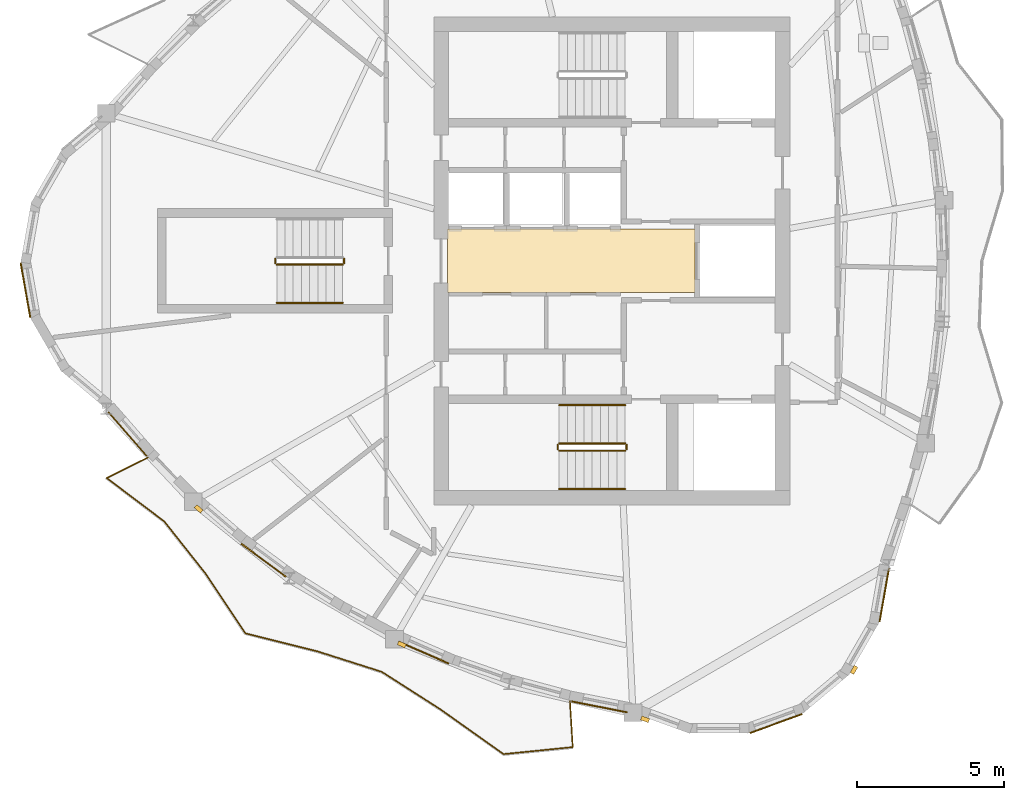
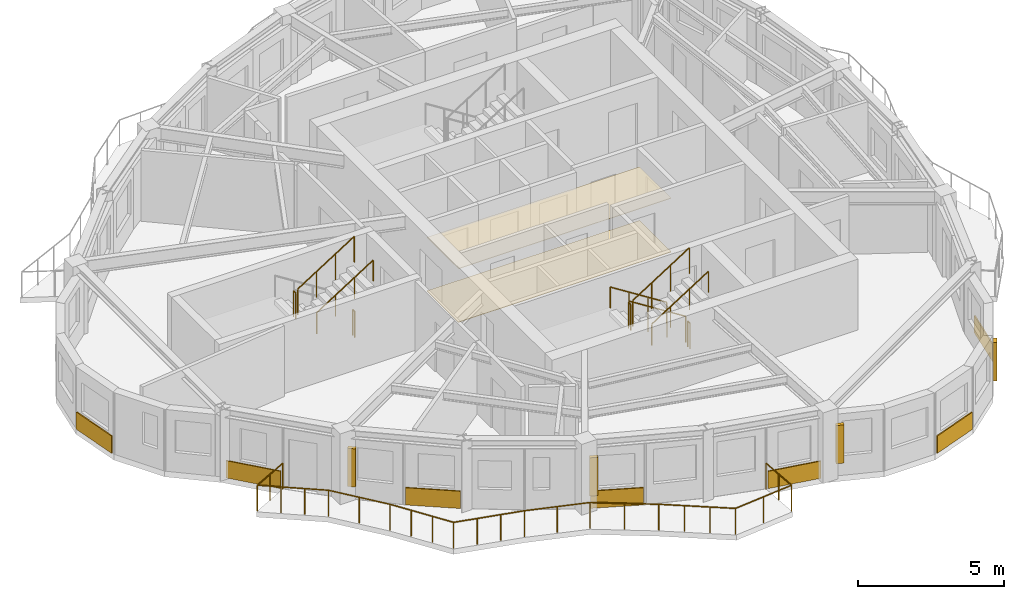
# One storey, part 8 of 11: 11 railings, 9 coverings, 4 shading devices.
"""IFC4 building model written with IfcOpenShell, lengths in metres."""

import ifcopenshell
import ifcopenshell.guid

model = None  # the IFC model being written
_history = None  # IfcOwnerHistory: only IFC2X3 demands one
_inside = {}  # id of a spatial element -> (the spatial element, [elements in it])
_under = {}  # id of a project, library or spatial element -> (it, [spatial elements below it])
_declared = {}  # id of a project -> (the project, [libraries it declares])
_typed = {}  # id of a type object -> (the type object, [elements of that type])
_made_of = {}  # id of a material, layer set ... -> (it, [elements and type objects made of it])


def new_model(schema):
    """Start an empty IFC model of exactly this schema.

    Asked for "IFC4X3", IfcOpenShell would pick the latest addendum, in which some entities
    have other attributes; the version numbers below select the first issue.
    IFC2X3 requires an IfcOwnerHistory on every rooted entity: one is made here for all.
    """
    global model, _history
    if schema == "IFC4X3":
        model = ifcopenshell.file(schema_version=(4, 3, 0, 0))
    else:
        model = ifcopenshell.file(schema=schema)
    _inside.clear()
    _under.clear()
    _declared.clear()
    _typed.clear()
    _made_of.clear()
    _history = None
    if model.schema == "IFC2X3":
        org = make("IfcOrganization", Name="unknown")
        user = make(
            "IfcPersonAndOrganization",
            ThePerson=make("IfcPerson", FamilyName="unknown"),
            TheOrganization=org,
        )
        app = make(
            "IfcApplication",
            ApplicationDeveloper=org,
            Version="unknown",
            ApplicationFullName="unknown",
            ApplicationIdentifier="unknown",
        )
        _history = make(
            "IfcOwnerHistory",
            OwningUser=user,
            OwningApplication=app,
            ChangeAction="ADDED",
            CreationDate=0,
        )
    return model


def make(cls, **values):
    """One entity of the class cls with the attributes given. An attribute that is None is left unset."""
    return model.create_entity(
        cls, **{name: value for name, value in values.items() if value is not None}
    )


def rooted(cls, **values):
    """An entity with a GlobalId (a new one), such as an element, a storey or a relation."""
    return make(cls, GlobalId=ifcopenshell.guid.new(), OwnerHistory=_history, **values)


def si_unit(unit_type, name, prefix=None):
    """IfcSIUnit, for example si_unit("LENGTHUNIT", "METRE", prefix="MILLI")."""
    return make("IfcSIUnit", UnitType=unit_type, Prefix=prefix, Name=name)


def assignment(units):
    """IfcUnitAssignment: the units of a project."""
    return None if units is None else make("IfcUnitAssignment", Units=units)


def point(xyz):
    """IfcCartesianPoint."""
    return None if xyz is None else make("IfcCartesianPoint", Coordinates=xyz)


def direction(xyz):
    """IfcDirection."""
    return None if xyz is None else make("IfcDirection", DirectionRatios=xyz)


def frame(location, z_axis=None, x_axis=None):
    """IfcAxis2Placement3D, a coordinate frame: its origin and axes. An axis left out is left unset."""
    return make(
        "IfcAxis2Placement3D",
        Location=point(location),
        Axis=direction(z_axis),
        RefDirection=direction(x_axis),
    )


def frame_2d(location, x_axis=None):
    """IfcAxis2Placement2D, a coordinate frame in the plane: its origin and x axis."""
    return make(
        "IfcAxis2Placement2D", Location=point(location), RefDirection=direction(x_axis)
    )


def origin():
    """The frame at (0, 0, 0) with its axes left unset."""
    return frame((0.0, 0.0, 0.0))


def origin_2d():
    """The frame at (0, 0) in the plane with its x axis left unset."""
    return frame_2d((0.0, 0.0))


def place(relative_to, where):
    """IfcLocalPlacement: puts the frame where relative to a parent placement (None: the world)."""
    return make(
        "IfcLocalPlacement", PlacementRelTo=relative_to, RelativePlacement=where
    )


def context(
    kind, dimensions, precision=None, world=None, true_north=None, identifier=None
):
    """IfcGeometricRepresentationContext, for example the 3D "Model" context."""
    return make(
        "IfcGeometricRepresentationContext",
        ContextIdentifier=identifier,
        ContextType=kind,
        CoordinateSpaceDimension=dimensions,
        Precision=precision,
        WorldCoordinateSystem=world,
        TrueNorth=true_north,
    )


def subcontext(parent, identifier, kind, view, scale=None):
    """IfcGeometricRepresentationSubContext, for example "Body" below "Model"."""
    return make(
        "IfcGeometricRepresentationSubContext",
        ContextIdentifier=identifier,
        ContextType=kind,
        ParentContext=parent,
        TargetScale=scale,
        TargetView=view,
    )


def project(units=None, contexts=None):
    """IfcProject with its units and contexts."""
    return rooted(
        "IfcProject",
        Name="project",
        RepresentationContexts=contexts,
        UnitsInContext=assignment(units),
    )


def spatial(cls, under=None, at=None, **own):
    """A site, building, storey or space (cls), placed at a placement, below another one or the project."""
    s = rooted(cls, ObjectPlacement=at, **own)
    if under is not None:
        _under.setdefault(under.id(), (under, []))[1].append(s)
    return s


def polyline(points):
    """IfcPolyline through the points."""
    return make("IfcPolyline", Points=[point(p) for p in points])


def profile(cls, at=None, kind="AREA", **sizes):
    """A parametric profile (cls). Its sizes go by their IFC names, for example OverallWidth=200.0."""
    return make(cls, ProfileType=kind, Position=at, **sizes)


def rectangle(**sizes):
    """IfcRectangleProfileDef."""
    return profile("IfcRectangleProfileDef", **sizes)


def circle(**sizes):
    """IfcCircleProfileDef."""
    return profile("IfcCircleProfileDef", **sizes)


def outline(outer, holes=None, kind="AREA"):
    """IfcArbitraryClosedProfileDef: a profile drawn as a closed curve; with holes, ...WithVoids."""
    if holes is None:
        return make("IfcArbitraryClosedProfileDef", ProfileType=kind, OuterCurve=outer)
    return make(
        "IfcArbitraryProfileDefWithVoids",
        ProfileType=kind,
        OuterCurve=outer,
        InnerCurves=holes,
    )


def extrude(swept, where, along, depth):
    """IfcExtrudedAreaSolid: the profile swept, set in the frame where, extruded along a direction by depth."""
    return make(
        "IfcExtrudedAreaSolid",
        SweptArea=swept,
        Position=where,
        ExtrudedDirection=direction(along),
        Depth=depth,
    )


def shape(context_of_items, identifier, shape_type, items):
    """IfcShapeRepresentation: the items that make up one representation, for example the "Body"."""
    return make(
        "IfcShapeRepresentation",
        ContextOfItems=context_of_items,
        RepresentationIdentifier=identifier,
        RepresentationType=shape_type,
        Items=items,
    )


def source(mapping_origin, context_of_items, identifier, shape_type, items):
    """IfcRepresentationMap: a shape defined once, which mapped items show again and again."""
    return make(
        "IfcRepresentationMap",
        MappingOrigin=mapping_origin,
        MappedRepresentation=shape(context_of_items, identifier, shape_type, items),
    )


def transform(
    local_origin,
    x_axis=None,
    y_axis=None,
    z_axis=None,
    scale=None,
    scale2=None,
    scale3=None,
    uniform=True,
):
    """IfcCartesianTransformationOperator3D, or its non-uniform kind. x_axis, y_axis, z_axis: its Axis1, 2, 3."""
    if uniform:
        return make(
            "IfcCartesianTransformationOperator3D",
            Axis1=direction(x_axis),
            Axis2=direction(y_axis),
            LocalOrigin=point(local_origin),
            Scale=scale,
            Axis3=direction(z_axis),
        )
    return make(
        "IfcCartesianTransformationOperator3DnonUniform",
        Axis1=direction(x_axis),
        Axis2=direction(y_axis),
        LocalOrigin=point(local_origin),
        Scale=scale,
        Axis3=direction(z_axis),
        Scale2=scale2,
        Scale3=scale3,
    )


def mapped(mapping_source, mapping_target):
    """IfcMappedItem: shows the shape of a source again, moved by a transform."""
    return make(
        "IfcMappedItem", MappingSource=mapping_source, MappingTarget=mapping_target
    )


def material(Name=None, Category=None):
    """IfcMaterial."""
    return make("IfcMaterial", Name=Name, Category=Category)


def layer(
    of_material, thickness, ventilated=None, Name=None, Category=None, Priority=None
):
    """IfcMaterialLayer: one layer of a wall or slab, of a material (None: an air gap)."""
    return make(
        "IfcMaterialLayer",
        Material=of_material,
        LayerThickness=thickness,
        IsVentilated=ventilated,
        Name=Name,
        Category=Category,
        Priority=Priority,
    )


def layer_set(layers, Name=None):
    """IfcMaterialLayerSet."""
    return make("IfcMaterialLayerSet", MaterialLayers=layers, LayerSetName=Name)


def made_of(thing, what):
    """Note that an element or type object is made of a material, layer set ...; save() writes the relation."""
    if what is not None:
        _made_of.setdefault(what.id(), (what, []))[1].append(thing)
    return thing


def type_object(cls, material=None, **own):
    """A type object (cls), such as IfcWallType, which elements share."""
    return made_of(rooted(cls, **own), material)


def element(
    cls,
    number,
    at=None,
    inside=None,
    cuts=None,
    type_object=None,
    material=None,
    context=None,
    identifier="Body",
    shape_type=None,
    held_by="IfcProductDefinitionShape",
    body=None,
    shapes=None,
    **own,
):
    """One element of the class cls, such as IfcWall. Its Tag is "e" and its number.

    at: its placement. inside: the storey or other place that contains it. cuts: it is an
    opening in that element (IfcRelVoidsElement). A single representation is given by context,
    identifier, shape_type and body (its items); several are given by shapes. held_by: the class
    of the entity that holds the representations. save() writes the other relations.
    """
    e = rooted(cls, Tag="e%d" % number, ObjectPlacement=at, **own)
    if body is not None:
        shapes = [shape(context, identifier, shape_type, body)]
    if shapes is not None:
        e.Representation = make(held_by, Representations=shapes)
    if inside is not None:
        _inside.setdefault(inside.id(), (inside, []))[1].append(e)
    if cuts is not None:
        rooted(
            "IfcRelVoidsElement", RelatingBuildingElement=cuts, RelatedOpeningElement=e
        )
    if type_object is not None:
        _typed.setdefault(type_object.id(), (type_object, []))[1].append(e)
    return made_of(e, material)


def aggregate(whole, parts):
    """IfcRelAggregates: a whole, such as a stair, and the parts it consists of."""
    return rooted("IfcRelAggregates", RelatingObject=whole, RelatedObjects=parts)


def save(model, path):
    """Write the relations noted so far, then the file.

    IfcRelAggregates (storeys below a building ...), IfcRelContainedInSpatialStructure (elements
    in a storey), IfcRelDefinesByType, IfcRelAssociatesMaterial and IfcRelDeclares: one each for
    every whole, place, type object, material and project.
    """
    for whole, parts in _under.values():
        aggregate(whole, parts)
    for where, things in _inside.values():
        rooted(
            "IfcRelContainedInSpatialStructure",
            RelatedElements=things,
            RelatingStructure=where,
        )
    for kind, things in _typed.values():
        rooted("IfcRelDefinesByType", RelatedObjects=things, RelatingType=kind)
    for what, things in _made_of.values():
        rooted("IfcRelAssociatesMaterial", RelatedObjects=things, RelatingMaterial=what)
    for by, libraries in _declared.values():
        rooted("IfcRelDeclares", RelatingContext=by, RelatedDefinitions=libraries)
    model.write(path)


model = new_model("IFC4")

# Units and contexts
model_context = context("Model", 3, precision=1e-05, world=origin(), true_north=direction((0.0, 1.0)))
body_context = subcontext(model_context, "Body", "Model", "MODEL_VIEW")
ifc_project = project(units=[si_unit("LENGTHUNIT", "METRE"), si_unit("AREAUNIT", "SQUARE_METRE"), si_unit("VOLUMEUNIT", "CUBIC_METRE"), si_unit("PLANEANGLEUNIT", "RADIAN"), si_unit("MASSUNIT", "GRAM", prefix="KILO")], contexts=[model_context])

# Site, building, storey
site_placement = place(None, origin())
site = spatial("IfcSite", under=ifc_project, at=site_placement, CompositionType="ELEMENT")
building_placement = place(site_placement, origin())
building = spatial("IfcBuilding", under=site, at=building_placement, Name="Qafzar Sky-Pleat Residences", CompositionType="ELEMENT")
storey_placement = place(building_placement, frame((0.0, 0.0, 246.800048828125)))
storey = spatial("IfcBuildingStorey", under=building, at=storey_placement, Name="L74", CompositionType="ELEMENT", Elevation=246.800048828125)

# Coverings
ifc_material_1 = material(Name="Perforated acoustic gypsum board ceiling")
ifc_layer_1 = layer(ifc_material_1, 0.02001953125)
ifc_layer_set_1 = layer_set([ifc_layer_1], Name="Perforated acoustic gypsum board ceiling")
covering_type_1 = type_object("IfcCoveringType", Name="COV-CEIL-ACOUSTIC", PredefinedType="CEILING", material=ifc_layer_set_1)
covering_1_placement = place(storey_placement, frame((0.0, 0.0, 2.239990234375)))
element("IfcCovering", 1, at=covering_1_placement, inside=storey, type_object=covering_type_1, Name="L74 Passenger Lift Lobby Acoustic Ceiling", PredefinedType="CEILING", context=body_context, shape_type="SweptSolid", body=[
    extrude(outline(polyline([(33.179931640625, 24.919921875), (24.77001953125, 24.919921875), (24.77001953125, 27.080078125), (33.179931640625, 27.080078125), (33.179931640625, 24.919921875)])), origin(), (0.0, 0.0, 1.0), 0.02001953125),
])
ifc_material_2 = material(Name="Honed porcelain and Riyadh stone tile flooring", Category="masonry")
ifc_layer_2 = layer(ifc_material_2, 0.02001953125)
ifc_layer_set_2 = layer_set([ifc_layer_2], Name="Honed porcelain and Riyadh stone tile flooring")
covering_type_2 = type_object("IfcCoveringType", Name="COV-FLR-PORCELAIN", PredefinedType="FLOORING", material=ifc_layer_set_2)
covering_2_placement = place(storey_placement, origin())
element("IfcCovering", 2, at=covering_2_placement, inside=storey, type_object=covering_type_2, Name="L74 Passenger Lift Lobby Honed Stone Flooring", PredefinedType="FLOORING", context=body_context, shape_type="SweptSolid", body=[
    extrude(outline(polyline([(33.179931640625, 24.919921875), (24.77001953125, 24.919921875), (24.77001953125, 27.080078125), (33.179931640625, 27.080078125), (33.179931640625, 24.919921875)])), origin(), (0.0, 0.0, 1.0), 0.02001953125),
])

# Shading devices
ifc_material_3 = material(Name="Honed Riyadh limestone solar fin", Category="masonry")
ifc_layer_3 = layer(ifc_material_3, 0.139892578125)
ifc_layer_set_3 = layer_set([ifc_layer_3], Name="Honed Riyadh limestone solar fin")
shading_device_type = type_object("IfcShadingDeviceType", Name="SHD-FIN-STONE", PredefinedType="SHUTTER", material=ifc_layer_set_3)
shared_shape_1 = source(origin(), body_context, "Body", "SweptSolid", [
    extrude(rectangle(XDim=0.139892578125, YDim=0.280029296875, at=origin_2d()), origin(), (0.0, 0.0, 1.0), 1.60009765625),
])
for number, where, z_axis, x_axis, name in (
    (3, (16.306396484375, 17.572265625, 0.599853515625), (0.0, 0.0, 1.0), (-0.65289449512, -0.7574488618, 0.0), "L74 Limestone Solar Fin 9"),
    (4, (23.2080078125, 12.9658203125, 0.599853515625), (0.0, 0.0, 1.0), (-0.398699748058, -0.917081518132, 0.0), "L74 Limestone Solar Fin 13"),
    (5, (31.478515625, 10.422119140625, 0.599853515625), (0.0, 0.0, 1.0), (-0.342010122116, -0.939696268148, 0.0), "L74 Limestone Solar Fin 17"),
    (6, (38.58056640625, 12.10009765625, 0.599853515625), (0.0, 0.0, 1.0), (0.86604422228, -0.499967403994, 0.0), "L74 Limestone Solar Fin 21"),
):
    element("IfcShadingDevice", number, at=place(storey_placement, frame(where, z_axis=z_axis, x_axis=x_axis)), inside=storey, type_object=shading_device_type, Name=name, PredefinedType="SHUTTER", context=body_context, shape_type="MappedRepresentation", body=[
        mapped(shared_shape_1, transform((0.0, 0.0, 0.0), x_axis=(1.0, 0.0, 0.0), y_axis=(0.0, 1.0, 0.0), z_axis=(0.0, 0.0, 1.0), scale=1.0)),
    ])

# Coverings
ifc_material_4 = material(Name="Honed Riyadh Tuwaiq limestone cladding", Category="masonry")
ifc_layer_4 = layer(ifc_material_4, 0.044921875)
ifc_layer_set_4 = layer_set([ifc_layer_4], Name="Honed Riyadh Tuwaiq limestone cladding")
covering_type_3 = type_object("IfcCoveringType", Name="COV-CLAD-STONE", PredefinedType="CLADDING", material=ifc_layer_set_4)
shared_shape_2 = source(origin(), body_context, "Body", "SweptSolid", [
    extrude(rectangle(XDim=1.88134765625, YDim=0.044921875, at=origin_2d()), origin(), (0.0, 0.0, 1.0), 0.719970703125),
])
covering_3_placement = place(storey_placement, frame((10.418212890625, 25.00439453125, 0.02001953125), z_axis=(0.0, 0.0, 1.0), x_axis=(0.173662519465, -0.984805224059, 0.0)))
element("IfcCovering", 7, at=covering_3_placement, inside=storey, type_object=covering_type_3, Name="L74 Riyadh Limestone Spandrel Cladding 4", PredefinedType="CLADDING", context=body_context, shape_type="MappedRepresentation", body=[
    mapped(shared_shape_2, transform((0.0, 0.0, 0.0), x_axis=(1.0, 0.0, 0.0), y_axis=(0.0, 1.0, 0.0), z_axis=(0.0, 0.0, 1.0), scale=1.0)),
])
shared_shape_3 = source(origin(), body_context, "Body", "SweptSolid", [
    extrude(rectangle(XDim=1.8291015625, YDim=0.044921875, at=origin_2d()), origin(), (0.0, 0.0, 1.0), 0.719970703125),
])
covering_4_placement = place(storey_placement, frame((39.609130859375, 14.639892578125, 0.02001953125), z_axis=(0.0, 0.0, 1.0), x_axis=(0.173695508338, 0.984799406165, 0.0)))
element("IfcCovering", 8, at=covering_4_placement, inside=storey, type_object=covering_type_3, Name="L74 Riyadh Limestone Spandrel Cladding 22", PredefinedType="CLADDING", context=body_context, shape_type="MappedRepresentation", body=[
    mapped(shared_shape_3, transform((0.0, 0.0, 0.0), x_axis=(1.0, 0.0, 0.0), y_axis=(0.0, 1.0, 0.0), z_axis=(0.0, 0.0, 1.0), scale=1.0)),
])
shared_shape_4 = source(origin(), body_context, "Body", "SweptSolid", [
    extrude(rectangle(XDim=1.881103515625, YDim=0.044921875, at=origin_2d()), origin(), (0.0, 0.0, 1.0), 0.719970703125),
])
covering_5_placement = place(storey_placement, frame((35.9287109375, 10.27587890625, 0.02001953125), z_axis=(0.0, 0.0, 1.0), x_axis=(0.939709584691, 0.341973531784, 0.0)))
element("IfcCovering", 9, at=covering_5_placement, inside=storey, type_object=covering_type_3, Name="L74 Riyadh Limestone Spandrel Cladding 19", PredefinedType="CLADDING", context=body_context, shape_type="MappedRepresentation", body=[
    mapped(shared_shape_4, transform((0.0, 0.0, 0.0), x_axis=(1.0, 0.0, 0.0), y_axis=(0.0, 1.0, 0.0), z_axis=(0.0, 0.0, 1.0), scale=1.0)),
])
shared_shape_5 = source(origin(), body_context, "Body", "SweptSolid", [
    extrude(rectangle(XDim=1.888916015625, YDim=0.044921875, at=origin_2d()), origin(), (0.0, 0.0, 1.0), 0.719970703125),
])
covering_6_placement = place(storey_placement, frame((18.5107421875, 15.828369140625, 0.02001953125), z_axis=(0.0, 0.0, 1.0), x_axis=(0.803837342424, -0.59484916317, 0.0)))
element("IfcCovering", 10, at=covering_6_placement, inside=storey, type_object=covering_type_3, Name="L74 Riyadh Limestone Spandrel Cladding 10", PredefinedType="CLADDING", context=body_context, shape_type="MappedRepresentation", body=[
    mapped(shared_shape_5, transform((0.0, 0.0, 0.0), x_axis=(1.0, 0.0, 0.0), y_axis=(0.0, 1.0, 0.0), z_axis=(0.0, 0.0, 1.0), scale=1.0)),
])

# Railing
ifc_material_5 = material(Name="Laminated glass and bronze steel balustrade", Category="steel")
railing_type_1 = type_object("IfcRailingType", Name="RAIL-BAL-1100", PredefinedType="BALUSTRADE", material=ifc_material_5)
shared_shape_6 = source(origin(), body_context, "Body", "SweptSolid", [
    extrude(circle(Radius=0.02392578125, at=origin_2d()), frame((0.0, 0.0, 1.076171875), z_axis=(-0.895230305867, -0.445603747131, 0.0), x_axis=(0.445603747131, -0.895230305867, 0.0)), (0.0, 0.0, 1.0), 1.577880859375),
    extrude(circle(Radius=0.02392578125, at=origin_2d()), frame((-1.41259765625, -0.703125, 1.076171875), z_axis=(0.798552100692, -0.601925695148, 0.0), x_axis=(0.601925695148, 0.798552100692, 0.0)), (0.0, 0.0, 1.0), 2.4521484375),
    extrude(circle(Radius=0.02392578125, at=origin_2d()), frame((0.545654296875, -2.17919921875, 1.076171875), z_axis=(0.620424786039, -0.784265952894, 0.0), x_axis=(0.784265952894, 0.620424786039, 0.0)), (0.0, 0.0, 1.0), 2.27099609375),
    extrude(circle(Radius=0.02392578125, at=origin_2d()), frame((1.95458984375, -3.960205078125, 1.076171875), z_axis=(0.553981385976, -0.832529052942, 0.0), x_axis=(0.832529052942, 0.553981385976, 0.0)), (0.0, 0.0, 1.0), 2.430419921875),
    extrude(circle(Radius=0.02392578125, at=origin_2d()), frame((3.301025390625, -5.983642578125, 1.076171875), z_axis=(0.970233529175, -0.242171218076, 0.0), x_axis=(0.242171218076, 0.970233529175, 0.0)), (0.0, 0.0, 1.0), 2.5224609375),
    extrude(circle(Radius=0.02392578125, at=origin_2d()), frame((5.748291015625, -6.594482421875, 1.076171875), z_axis=(0.952948096229, -0.303133511663, 0.0), x_axis=(0.303133511663, 0.952948096229, 0.0)), (0.0, 0.0, 1.0), 2.298583984375),
    extrude(circle(Radius=0.02392578125, at=origin_2d()), frame((7.938720703125, -7.291259765625, 1.076171875), z_axis=(0.842406664623, -0.538842288057, 0.0), x_axis=(0.538842288057, 0.842406664623, 0.0)), (0.0, 0.0, 1.0), 2.359619140625),
    extrude(circle(Radius=0.02392578125, at=origin_2d()), frame((9.926513671875, -8.562744140625, 1.076171875), z_axis=(0.815729715151, -0.578433256149, 0.0), x_axis=(0.578433256149, 0.815729715151, 0.0)), (0.0, 0.0, 1.0), 2.637939453125),
    extrude(circle(Radius=0.02392578125, at=origin_2d()), frame((12.078369140625, -10.088623046875, 1.076171875), z_axis=(0.994919967793, 0.10066905029, 0.0), x_axis=(-0.10066905029, 0.994919967793, 0.0)), (0.0, 0.0, 1.0), 2.364501953125),
    extrude(circle(Radius=0.02392578125, at=origin_2d()), frame((14.430908203125, -9.8505859375, 1.076171875), z_axis=(-0.061732907976, 0.99809270515, 0.0), x_axis=(-0.99809270515, -0.061732907976, 0.0)), (0.0, 0.0, 1.0), 1.577880859375),
    extrude(circle(Radius=0.02099609375, at=origin_2d()), origin(), (0.0, 0.0, 1.0), 1.052001953125),
    extrude(circle(Radius=0.02099609375, at=origin_2d()), frame((-0.706298828125, -0.3515625, 0.0)), (0.0, 0.0, 1.0), 1.052001953125),
    extrude(circle(Radius=0.02099609375, at=origin_2d()), frame((-1.41259765625, -0.703125, 0.0)), (0.0, 0.0, 1.0), 1.052001953125),
    extrude(circle(Radius=0.02099609375, at=origin_2d()), frame((-0.759765625, -1.195068359375, 0.0)), (0.0, 0.0, 1.0), 1.052001953125),
    extrude(circle(Radius=0.02099609375, at=origin_2d()), frame((-0.107177734375, -1.687255859375, 0.0)), (0.0, 0.0, 1.0), 1.052001953125),
    extrude(circle(Radius=0.02099609375, at=origin_2d()), frame((0.545654296875, -2.17919921875, 0.0)), (0.0, 0.0, 1.0), 1.052001953125),
    extrude(circle(Radius=0.02099609375, at=origin_2d()), frame((1.25, -3.06982421875, 0.0)), (0.0, 0.0, 1.0), 1.052001953125),
    extrude(circle(Radius=0.02099609375, at=origin_2d()), frame((1.95458984375, -3.960205078125, 0.0)), (0.0, 0.0, 1.0), 1.052001953125),
    extrude(circle(Radius=0.02099609375, at=origin_2d()), frame((2.4033203125, -4.634765625, 0.0)), (0.0, 0.0, 1.0), 1.052001953125),
    extrude(circle(Radius=0.02099609375, at=origin_2d()), frame((2.852294921875, -5.30908203125, 0.0)), (0.0, 0.0, 1.0), 1.052001953125),
    extrude(circle(Radius=0.02099609375, at=origin_2d()), frame((3.301025390625, -5.983642578125, 0.0)), (0.0, 0.0, 1.0), 1.052001953125),
    extrude(circle(Radius=0.02099609375, at=origin_2d()), frame((4.11669921875, -6.187255859375, 0.0)), (0.0, 0.0, 1.0), 1.052001953125),
    extrude(circle(Radius=0.02099609375, at=origin_2d()), frame((4.9326171875, -6.390869140625, 0.0)), (0.0, 0.0, 1.0), 1.052001953125),
    extrude(circle(Radius=0.02099609375, at=origin_2d()), frame((5.748291015625, -6.594482421875, 0.0)), (0.0, 0.0, 1.0), 1.052001953125),
    extrude(circle(Radius=0.02099609375, at=origin_2d()), frame((6.843505859375, -6.94287109375, 0.0)), (0.0, 0.0, 1.0), 1.052001953125),
    extrude(circle(Radius=0.02099609375, at=origin_2d()), frame((7.938720703125, -7.291259765625, 0.0)), (0.0, 0.0, 1.0), 1.052001953125),
    extrude(circle(Radius=0.02099609375, at=origin_2d()), frame((8.9326171875, -7.927001953125, 0.0)), (0.0, 0.0, 1.0), 1.052001953125),
    extrude(circle(Radius=0.02099609375, at=origin_2d()), frame((9.926513671875, -8.562744140625, 0.0)), (0.0, 0.0, 1.0), 1.052001953125),
    extrude(circle(Radius=0.02099609375, at=origin_2d()), frame((10.643798828125, -9.0712890625, 0.0)), (0.0, 0.0, 1.0), 1.052001953125),
    extrude(circle(Radius=0.02099609375, at=origin_2d()), frame((11.361083984375, -9.580078125, 0.0)), (0.0, 0.0, 1.0), 1.052001953125),
    extrude(circle(Radius=0.02099609375, at=origin_2d()), frame((12.078369140625, -10.088623046875, 0.0)), (0.0, 0.0, 1.0), 1.052001953125),
    extrude(circle(Radius=0.02099609375, at=origin_2d()), frame((13.254638671875, -9.9697265625, 0.0)), (0.0, 0.0, 1.0), 1.052001953125),
    extrude(circle(Radius=0.02099609375, at=origin_2d()), frame((14.430908203125, -9.8505859375, 0.0)), (0.0, 0.0, 1.0), 1.052001953125),
    extrude(circle(Radius=0.02099609375, at=origin_2d()), frame((14.38232421875, -9.06298828125, 0.0)), (0.0, 0.0, 1.0), 1.052001953125),
    extrude(circle(Radius=0.02099609375, at=origin_2d()), frame((14.33349609375, -8.275634765625, 0.0)), (0.0, 0.0, 1.0), 1.052001953125),
])
railing_1_placement = place(storey_placement, frame((14.591064453125, 19.325927734375, 0.0)))
element("IfcRailing", 11, at=railing_1_placement, inside=storey, type_object=railing_type_1, Name="L74 Pleated Balcony 3 Balustrade", PredefinedType="BALUSTRADE", context=body_context, shape_type="MappedRepresentation", body=[
    mapped(shared_shape_6, transform((0.0, 0.0, 0.0), x_axis=(1.0, 0.0, 0.0), y_axis=(0.0, 1.0, 0.0), z_axis=(0.0, 0.0, 1.0), scale=1.0)),
])

# Coverings
shared_shape_7 = source(origin(), body_context, "Body", "SweptSolid", [
    extrude(rectangle(XDim=1.982421875, YDim=0.044921875, at=origin_2d()), origin(), (0.0, 0.0, 1.0), 0.719970703125),
])
covering_7_placement = place(storey_placement, frame((13.885986328125, 20.117919921875, 0.02001953125), z_axis=(0.0, 0.0, 1.0), x_axis=(0.657613893378, -0.75335514018, 0.0)))
element("IfcCovering", 12, at=covering_7_placement, inside=storey, type_object=covering_type_3, Name="L74 Riyadh Limestone Spandrel Cladding 7", PredefinedType="CLADDING", context=body_context, shape_type="MappedRepresentation", body=[
    mapped(shared_shape_7, transform((0.0, 0.0, 0.0), x_axis=(1.0, 0.0, 0.0), y_axis=(0.0, 1.0, 0.0), z_axis=(0.0, 0.0, 1.0), scale=1.0)),
])
shared_shape_8 = source(origin(), body_context, "Body", "SweptSolid", [
    extrude(rectangle(XDim=1.82568359375, YDim=0.044921875, at=origin_2d()), origin(), (0.0, 0.0, 1.0), 0.719970703125),
])
covering_8_placement = place(storey_placement, frame((23.9677734375, 12.682373046875, 0.02001953125), z_axis=(0.0, 0.0, 1.0), x_axis=(0.917074758623, -0.39871529579, 0.0)))
element("IfcCovering", 13, at=covering_8_placement, inside=storey, type_object=covering_type_3, Name="L74 Riyadh Limestone Spandrel Cladding 13", PredefinedType="CLADDING", context=body_context, shape_type="MappedRepresentation", body=[
    mapped(shared_shape_8, transform((0.0, 0.0, 0.0), x_axis=(1.0, 0.0, 0.0), y_axis=(0.0, 1.0, 0.0), z_axis=(0.0, 0.0, 1.0), scale=1.0)),
])
shared_shape_9 = source(origin(), body_context, "Body", "SweptSolid", [
    extrude(rectangle(XDim=1.91943359375, YDim=0.044921875, at=origin_2d()), origin(), (0.0, 0.0, 1.0), 0.719970703125),
])
covering_9_placement = place(storey_placement, frame((29.9287109375, 10.842529296875, 0.02001953125), z_axis=(0.0, 0.0, 1.0), x_axis=(0.98122807004, -0.192850912795, 0.0)))
element("IfcCovering", 14, at=covering_9_placement, inside=storey, type_object=covering_type_3, Name="L74 Riyadh Limestone Spandrel Cladding 16", PredefinedType="CLADDING", context=body_context, shape_type="MappedRepresentation", body=[
    mapped(shared_shape_9, transform((0.0, 0.0, 0.0), x_axis=(1.0, 0.0, 0.0), y_axis=(0.0, 1.0, 0.0), z_axis=(0.0, 0.0, 1.0), scale=1.0)),
])

# Railings
ifc_material_6 = material(Name="Painted Steel S355 stair guardrail", Category="steel")
railing_type_2 = type_object("IfcRailingType", Name="RAIL-STAIR-GUARD", PredefinedType="GUARDRAIL", material=ifc_material_6)
shared_shape_10 = source(origin(), body_context, "Body", "SweptSolid", [
    extrude(circle(Radius=0.02392578125, at=origin_2d()), frame((0.0, 0.0, 1.076171875), z_axis=(0.0, -1.0, 0.0), x_axis=(1.0, 0.0, 0.0)), (0.0, 0.0, 1.0), 0.14990234375),
    extrude(circle(Radius=0.02099609375, at=origin_2d()), origin(), (0.0, 0.0, 1.0), 1.052001953125),
    extrude(circle(Radius=0.02099609375, at=origin_2d()), frame((0.0, -0.14990234375, 0.0)), (0.0, 0.0, 1.0), 1.052001953125),
])
for number, where, name in (
    (15, (28.510009765625, 19.75, 1.599853515625), "L74 ST1 stair guard 2"),
    (16, (30.85009765625, 19.75, 0.0), "L74 ST1 stair guard 4"),
    (17, (18.909912109375, 26.074951171875, 1.599853515625), "L74 ST3 stair guard 2"),
    (18, (21.25, 26.074951171875, 0.0), "L74 ST3 stair guard 4"),
):
    element("IfcRailing", number, at=place(storey_placement, frame(where)), inside=storey, type_object=railing_type_2, Name=name, PredefinedType="GUARDRAIL", context=body_context, shape_type="MappedRepresentation", body=[
        mapped(shared_shape_10, transform((0.0, 0.0, 0.0), x_axis=(1.0, 0.0, 0.0), y_axis=(0.0, 1.0, 0.0), z_axis=(0.0, 0.0, 1.0), scale=1.0)),
    ])
shared_shape_11 = source(origin(), body_context, "Body", "SweptSolid", [
    extrude(circle(Radius=0.02392578125, at=origin_2d()), frame((0.0, 0.0, 1.076171875), z_axis=(-0.8442293374, 0.0, 0.53598211339), x_axis=(0.0, -1.0, 0.0)), (0.0, 0.0, 1.0), 2.6533203125),
    extrude(circle(Radius=0.02099609375, at=origin_2d()), origin(), (0.0, 0.0, 1.0), 1.052001953125),
    extrude(circle(Radius=0.02099609375, at=origin_2d()), frame((-0.74658203125, 0.0, 0.47412109375)), (0.0, 0.0, 1.0), 1.052001953125),
    extrude(circle(Radius=0.02099609375, at=origin_2d()), frame((-1.493408203125, 0.0, 0.947998046875)), (0.0, 0.0, 1.0), 1.052001953125),
    extrude(circle(Radius=0.02099609375, at=origin_2d()), frame((-2.239990234375, 0.0, 1.422119140625)), (0.0, 0.0, 1.0), 1.052001953125),
])
railing_2_placement = place(storey_placement, frame((30.800048828125, 19.800048828125, 0.177734375)))
element("IfcRailing", 19, at=railing_2_placement, inside=storey, type_object=railing_type_2, Name="L74 ST1 stair guard 1", PredefinedType="GUARDRAIL", context=body_context, shape_type="MappedRepresentation", body=[
    mapped(shared_shape_11, transform((0.0, 0.0, 0.0), x_axis=(1.0, 0.0, 0.0), y_axis=(0.0, 1.0, 0.0), z_axis=(0.0, 0.0, 1.0), scale=1.0)),
])
shared_shape_12 = source(origin(), body_context, "Body", "SweptSolid", [
    extrude(circle(Radius=0.02392578125, at=origin_2d()), frame((0.0, 0.0, 1.076171875), z_axis=(0.8442293374, 0.0, 0.53598211339), x_axis=(0.0, 1.0, 0.0)), (0.0, 0.0, 1.0), 2.6533203125),
    extrude(circle(Radius=0.02099609375, at=origin_2d()), origin(), (0.0, 0.0, 1.0), 1.052001953125),
    extrude(circle(Radius=0.02099609375, at=origin_2d()), frame((0.74658203125, 0.0, 0.47412109375)), (0.0, 0.0, 1.0), 1.052001953125),
    extrude(circle(Radius=0.02099609375, at=origin_2d()), frame((1.493408203125, 0.0, 0.947998046875)), (0.0, 0.0, 1.0), 1.052001953125),
    extrude(circle(Radius=0.02099609375, at=origin_2d()), frame((2.239990234375, 0.0, 1.422119140625)), (0.0, 0.0, 1.0), 1.052001953125),
])
for number, where, name in (
    (20, (28.56005859375, 19.550048828125, 1.77783203125), "L74 ST1 stair guard 3"),
    (21, (18.9599609375, 25.875, 1.77783203125), "L74 ST3 stair guard 3"),
):
    element("IfcRailing", number, at=place(storey_placement, frame(where)), inside=storey, type_object=railing_type_2, Name=name, PredefinedType="GUARDRAIL", context=body_context, shape_type="MappedRepresentation", body=[
        mapped(shared_shape_12, transform((0.0, 0.0, 0.0), x_axis=(1.0, 0.0, 0.0), y_axis=(0.0, 1.0, 0.0), z_axis=(0.0, 0.0, 1.0), scale=1.0)),
    ])
ifc_material_7 = material(Name="Brushed stainless steel handrail", Category="steel")
railing_type_3 = type_object("IfcRailingType", Name="RAIL-STAIR-HAND", PredefinedType="HANDRAIL", material=ifc_material_7)
shared_shape_13 = source(origin(), body_context, "Body", "SweptSolid", [
    extrude(circle(Radius=0.02392578125, at=origin_2d()), frame((0.0, 0.0, 0.8759765625), z_axis=(-0.8442293374, 0.0, 0.53598211339), x_axis=(0.0, -1.0, 0.0)), (0.0, 0.0, 1.0), 2.6533203125),
    extrude(circle(Radius=0.02099609375, at=origin_2d()), origin(), (0.0, 0.0, 1.0), 0.851806640625),
    extrude(circle(Radius=0.02099609375, at=origin_2d()), frame((-0.74658203125, 0.0, 0.47412109375)), (0.0, 0.0, 1.0), 0.851806640625),
    extrude(circle(Radius=0.02099609375, at=origin_2d()), frame((-1.493408203125, 0.0, 0.947998046875)), (0.0, 0.0, 1.0), 0.851806640625),
    extrude(circle(Radius=0.02099609375, at=origin_2d()), frame((-2.239990234375, 0.0, 1.422119140625)), (0.0, 0.0, 1.0), 0.851806640625),
])
railing_3_placement = place(storey_placement, frame((30.800048828125, 21.10009765625, 0.177734375)))
element("IfcRailing", 22, at=railing_3_placement, inside=storey, type_object=railing_type_3, Name="L74 ST1 stair handrail 1", PredefinedType="HANDRAIL", context=body_context, shape_type="MappedRepresentation", body=[
    mapped(shared_shape_13, transform((0.0, 0.0, 0.0), x_axis=(1.0, 0.0, 0.0), y_axis=(0.0, 1.0, 0.0), z_axis=(0.0, 0.0, 1.0), scale=1.0)),
])
shared_shape_14 = source(origin(), body_context, "Body", "SweptSolid", [
    extrude(circle(Radius=0.02392578125, at=origin_2d()), frame((0.0, 0.0, 0.8759765625), z_axis=(0.8442293374, 0.0, 0.53598211339), x_axis=(0.0, 1.0, 0.0)), (0.0, 0.0, 1.0), 2.6533203125),
    extrude(circle(Radius=0.02099609375, at=origin_2d()), origin(), (0.0, 0.0, 1.0), 0.851806640625),
    extrude(circle(Radius=0.02099609375, at=origin_2d()), frame((0.74658203125, 0.0, 0.47412109375)), (0.0, 0.0, 1.0), 0.851806640625),
    extrude(circle(Radius=0.02099609375, at=origin_2d()), frame((1.493408203125, 0.0, 0.947998046875)), (0.0, 0.0, 1.0), 0.851806640625),
    extrude(circle(Radius=0.02099609375, at=origin_2d()), frame((2.239990234375, 0.0, 1.422119140625)), (0.0, 0.0, 1.0), 0.851806640625),
])
for number, where, name in (
    (23, (28.56005859375, 18.25, 1.77783203125), "L74 ST1 stair handrail 2"),
    (24, (18.9599609375, 24.574951171875, 1.77783203125), "L74 ST3 stair handrail 2"),
):
    element("IfcRailing", number, at=place(storey_placement, frame(where)), inside=storey, type_object=railing_type_3, Name=name, PredefinedType="HANDRAIL", context=body_context, shape_type="MappedRepresentation", body=[
        mapped(shared_shape_14, transform((0.0, 0.0, 0.0), x_axis=(1.0, 0.0, 0.0), y_axis=(0.0, 1.0, 0.0), z_axis=(0.0, 0.0, 1.0), scale=1.0)),
    ])

save(model, "model.ifc")
